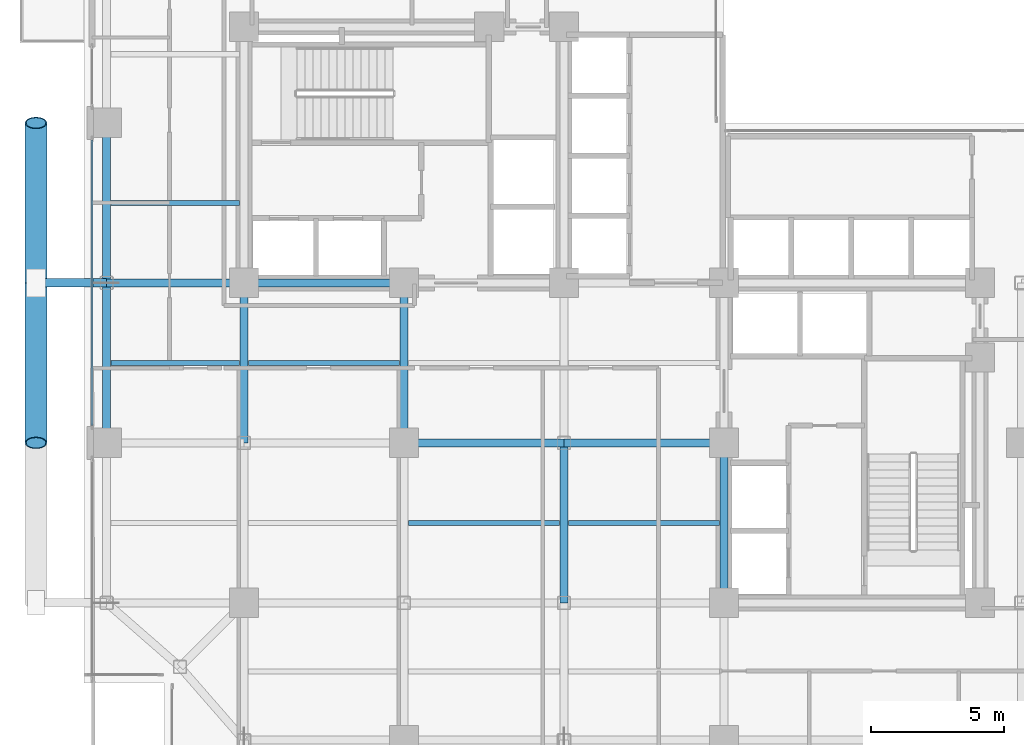
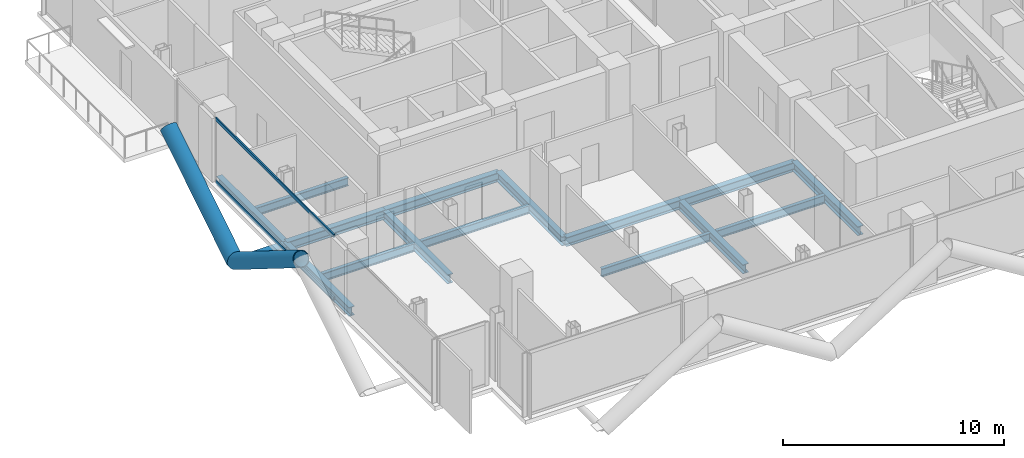
# One storey, part 6 of 28: 15 beams, 5 members, 1 element without a shape of its own.
"""IFC4 building model written with IfcOpenShell, lengths in metres."""

from ifc_helpers import new_model, si_unit, direction, frame, origin, origin_2d, place, context, subcontext, project, spatial, hollow_rectangle, hollow_circle, i_section, extrude, material, layer, layer_set, material_profile, profile_set, type_object, element, aggregate, save


model = new_model("IFC4")

# Units and contexts
model_context = context("Model", 3, precision=1e-05, world=origin(), true_north=direction((0.0, 1.0)))
body_context = subcontext(model_context, "Body", "Model", "MODEL_VIEW")
ifc_project = project(units=[si_unit("LENGTHUNIT", "METRE"), si_unit("AREAUNIT", "SQUARE_METRE"), si_unit("VOLUMEUNIT", "CUBIC_METRE"), si_unit("PLANEANGLEUNIT", "RADIAN"), si_unit("MASSUNIT", "GRAM", prefix="KILO"), si_unit("THERMODYNAMICTEMPERATUREUNIT", "KELVIN"), si_unit("POWERUNIT", "WATT")], contexts=[model_context])

# Site, building, storey
site_placement = place(None, origin())
site = spatial("IfcSite", under=ifc_project, at=site_placement, CompositionType="ELEMENT")
building_placement = place(site_placement, origin())
building = spatial("IfcBuilding", under=site, at=building_placement, Name="Svarakhadi Broadcast Tower", CompositionType="ELEMENT")
storey_placement = place(building_placement, frame((0.0, 0.0, 103.35009765625)))
storey = spatial("IfcBuildingStorey", under=building, at=storey_placement, Name="L24", CompositionType="ELEMENT", Elevation=103.35009765625)

# Beams
ifc_material_1 = material(Name="Steel S355J2 (IS 2062 E350C)", Category="steel")
ifc_material_profile_1 = material_profile(ifc_material_1, i_section(OverallWidth=0.18994140625, OverallDepth=0.449951171875, WebThickness=0.009521484375, FlangeThickness=0.0146484375, FilletRadius=0.02099609375, at=origin_2d()), Name="NPB 450x190x78")
ifc_profile_set_1 = profile_set([ifc_material_profile_1], Name="Steel S355J2 (IS 2062 E350C)")
beam_type_1 = type_object("IfcBeamType", Name="Beam_NPB450", PredefinedType="BEAM", material=ifc_profile_set_1)
for number, where, z_axis, x_axis, name in (
    (1, (1.010009765625, 15.0, -0.4501953125), (1.0, 0.0, 0.0), (0.0, 1.0, 0.0), "L24 Secondary Composite Beam SB002"),
    (2, (1.010009765625, 21.0, -0.4501953125), (1.0, 0.0, 0.0), (0.0, 1.0, 0.0), "L24 Secondary Composite Beam SB003"),
):
    element("IfcBeam", number, at=place(storey_placement, frame(where, z_axis=z_axis, x_axis=x_axis)), inside=storey, type_object=beam_type_1, Name=name, PredefinedType="BEAM", context=body_context, shape_type="SweptSolid", body=[
        extrude(i_section(OverallWidth=0.18994140625, OverallDepth=0.449951171875, WebThickness=0.009521484375, FlangeThickness=0.0146484375, FilletRadius=0.02099609375, at=origin_2d()), origin(), (0.0, 0.0, 1.0), 4.830078125),
    ])
for number, where, z_axis, x_axis, name in (
    (3, (6.159912109375, 15.0, -0.4501953125), (1.0, 0.0, 0.0), (0.0, 1.0, 0.0), "L24 Secondary Composite Beam SB008"),
    (4, (12.159912109375, 9.0, -0.4501953125), (1.0, 0.0, 0.0), (0.0, 1.0, 0.0), "L24 Secondary Composite Beam SB012"),
    (5, (18.159912109375, 9.0, -0.4501953125), (1.0, 0.0, 0.0), (0.0, 1.0, 0.0), "L24 Secondary Composite Beam SB017"),
):
    element("IfcBeam", number, at=place(storey_placement, frame(where, z_axis=z_axis, x_axis=x_axis)), inside=storey, type_object=beam_type_1, Name=name, PredefinedType="BEAM", context=body_context, shape_type="SweptSolid", body=[
        extrude(i_section(OverallWidth=0.18994140625, OverallDepth=0.449951171875, WebThickness=0.009521484375, FlangeThickness=0.0146484375, FilletRadius=0.02099609375, at=origin_2d()), origin(), (0.0, 0.0, 1.0), 5.68017578125),
    ])

# Curtain wall, members
ifc_material_2 = material(Name="Anodised Bronze Aluminium AA 6063-T6", Category="aluminium")
ifc_layer = layer(ifc_material_2, 0.199951171875)
ifc_layer_set = layer_set([ifc_layer], Name="Anodised Bronze Aluminium AA 6063-T6")
curtain_wall_type = type_object("IfcCurtainWallType", Name="CW_Sys_03", PredefinedType="NOTDEFINED", material=ifc_layer_set)
curtain_wall_placement = place(storey_placement, origin())
curtain_wall = element("IfcCurtainWall", 6, at=curtain_wall_placement, inside=storey, type_object=curtain_wall_type, Name="L24 West Curtain Wall 02 Bay 2", PredefinedType="NOTDEFINED")
ifc_material_profile_2 = material_profile(ifc_material_2, hollow_rectangle(XDim=0.070068359375, YDim=0.18505859375, WallThickness=0.0048828125, at=origin_2d()), Name="ALU TRANSOM 185x70x5")
ifc_profile_set_2 = profile_set([ifc_material_profile_2], Name="Anodised Bronze Aluminium AA 6063-T6")
member_type_1 = type_object("IfcMemberType", Name="CW_Sys_03_Trn", PredefinedType="USERDEFINED", material=ifc_profile_set_2)
member_1_placement = place(storey_placement, frame((0.300048828125, 12.64501953125, 0.034912109375), z_axis=(0.0, 1.0, 0.0), x_axis=(-1.0, 0.0, 0.0)))
member_1 = element("IfcMember", 7, at=member_1_placement, type_object=member_type_1, Name="CW-03 transom 1.1", ObjectType="TRANSOM", PredefinedType="USERDEFINED", context=body_context, shape_type="SweptSolid", body=[
    extrude(hollow_rectangle(XDim=0.070068359375, YDim=0.18505859375, WallThickness=0.0048828125, at=origin_2d()), origin(), (0.0, 0.0, 1.0), 10.7099609375),
])
member_2_placement = place(storey_placement, frame((0.300048828125, 12.64501953125, 3.489990234375), z_axis=(0.0, 1.0, 0.0), x_axis=(-1.0, 0.0, 0.0)))
member_2 = element("IfcMember", 8, at=member_2_placement, type_object=member_type_1, Name="CW-03 transom 1.2", ObjectType="TRANSOM", PredefinedType="USERDEFINED", context=body_context, shape_type="SweptSolid", body=[
    extrude(hollow_rectangle(XDim=0.070068359375, YDim=0.18505859375, WallThickness=0.0048828125, at=origin_2d()), origin(), (0.0, 0.0, 1.0), 10.7099609375),
])
aggregate(curtain_wall, [member_1, member_2])

# Members
ifc_material_3 = material(Name="Steel S460ML (IS 2062 E450BR)", Category="steel")
ifc_material_profile_3 = material_profile(ifc_material_3, hollow_circle(Radius=0.406494140625, WallThickness=0.0400390625, at=origin_2d()), Name="CHS 813x40")
ifc_profile_set_3 = profile_set([ifc_material_profile_3], Name="Steel S460ML (IS 2062 E450BR)")
member_type_2 = type_object("IfcMemberType", Name="Exo_Brace_CHS813", PredefinedType="BRACE", material=ifc_profile_set_3)
for number, where, z_axis, x_axis, name in (
    (9, (-1.800048828125, 18.0, -0.386962890625), (0.0, -0.847998304005, 0.529998940003), (1.0, 0.0, 0.0), "L24 Exposed Bronze Exoskeleton Diagonal W06"),
    (10, (-1.800048828125, 18.0, -0.386962890625), (0.0, 0.847998304005, 0.529998940003), (-1.0, 0.0, 0.0), "L24 Exposed Bronze Exoskeleton Diagonal W07"),
):
    element("IfcMember", number, at=place(storey_placement, frame(where, z_axis=z_axis, x_axis=x_axis)), inside=storey, type_object=member_type_2, Name=name, PredefinedType="BRACE", context=body_context, shape_type="SweptSolid", body=[
        extrude(hollow_circle(Radius=0.406494140625, WallThickness=0.0400390625, at=origin_2d()), origin(), (0.0, 0.0, 1.0), 7.075439453125),
    ])
ifc_material_profile_4 = material_profile(ifc_material_3, hollow_circle(Radius=0.161865234375, WallThickness=0.01611328125, at=origin_2d()), Name="CHS 323.9x16")
ifc_profile_set_4 = profile_set([ifc_material_profile_4], Name="Steel S460ML (IS 2062 E450BR)")
member_type_3 = type_object("IfcMemberType", Name="Exo_Radial_Strut_Z2", PredefinedType="STRUT", material=ifc_profile_set_4)
member_3_placement = place(storey_placement, frame((-1.800048828125, 18.0, -0.386962890625), z_axis=(1.0, 0.0, 0.0), x_axis=(0.0, 1.0, 0.0)))
element("IfcMember", 11, at=member_3_placement, inside=storey, type_object=member_type_3, Name="L24 Exoskeleton Radial Tie Strut W06", PredefinedType="STRUT", context=body_context, shape_type="SweptSolid", body=[
    extrude(hollow_circle(Radius=0.161865234375, WallThickness=0.01611328125, at=origin_2d()), origin(), (0.0, 0.0, 1.0), 2.650146484375),
])

# Beams
ifc_material_profile_5 = material_profile(ifc_material_1, i_section(OverallWidth=0.300048828125, OverallDepth=0.5, WebThickness=0.014404296875, FlangeThickness=0.028076171875, FilletRadius=0.027099609375, at=origin_2d()), Name="WPB 500x300x187")
ifc_profile_set_5 = profile_set([ifc_material_profile_5], Name="Steel S355J2 (IS 2062 E350C)")
beam_type_2 = type_object("IfcBeamType", Name="Girder_WPB500", PredefinedType="USERDEFINED", material=ifc_profile_set_5)
for number, where, z_axis, x_axis, name in (
    (12, (12.0, 12.0, -0.47509765625), (1.0, 0.0, 0.0), (0.0, 1.0, 0.0), "L24 Primary E-W Girder G019"),
    (13, (18.0, 12.0, -0.47509765625), (1.0, 0.0, 0.0), (0.0, 1.0, 0.0), "L24 Primary E-W Girder G020"),
):
    element("IfcBeam", number, at=place(storey_placement, frame(where, z_axis=z_axis, x_axis=x_axis)), inside=storey, type_object=beam_type_2, Name=name, ObjectType="GIRDER", PredefinedType="USERDEFINED", context=body_context, shape_type="SweptSolid", body=[
        extrude(i_section(OverallWidth=0.300048828125, OverallDepth=0.5, WebThickness=0.014404296875, FlangeThickness=0.028076171875, FilletRadius=0.027099609375, at=origin_2d()), origin(), (0.0, 0.0, 1.0), 6.0),
    ])
beam_placement = place(storey_placement, frame((0.85009765625, 18.0, -0.47509765625), z_axis=(1.0, 0.0, 0.0), x_axis=(0.0, 1.0, 0.0)))
element("IfcBeam", 14, at=beam_placement, inside=storey, type_object=beam_type_2, Name="L24 Primary E-W Girder G023", ObjectType="GIRDER", PredefinedType="USERDEFINED", context=body_context, shape_type="SweptSolid", body=[
    extrude(i_section(OverallWidth=0.300048828125, OverallDepth=0.5, WebThickness=0.014404296875, FlangeThickness=0.028076171875, FilletRadius=0.027099609375, at=origin_2d()), origin(), (0.0, 0.0, 1.0), 5.14990234375),
])
for number, where, z_axis, x_axis, name in (
    (15, (6.0, 18.0, -0.47509765625), (1.0, 0.0, 0.0), (0.0, 1.0, 0.0), "L24 Primary E-W Girder G024"),
    (16, (0.85009765625, 12.0, -0.47509765625), (0.0, 1.0, 0.0), (-1.0, 0.0, 0.0), "L24 Primary N-S Girder G041"),
    (17, (0.85009765625, 18.0, -0.47509765625), (0.0, 1.0, 0.0), (-1.0, 0.0, 0.0), "L24 Primary N-S Girder G042"),
    (18, (6.0, 12.0, -0.47509765625), (0.0, 1.0, 0.0), (-1.0, 0.0, 0.0), "L24 Primary N-S Girder G047"),
    (19, (12.0, 12.0, -0.47509765625), (0.0, 1.0, 0.0), (-1.0, 0.0, 0.0), "L24 Primary N-S Girder G053"),
    (20, (18.0, 6.0, -0.47509765625), (0.0, 1.0, 0.0), (-1.0, 0.0, 0.0), "L24 Primary N-S Girder G057"),
    (21, (24.0, 6.0, -0.47509765625), (0.0, 1.0, 0.0), (-1.0, 0.0, 0.0), "L24 Primary N-S Girder G063"),
):
    element("IfcBeam", number, at=place(storey_placement, frame(where, z_axis=z_axis, x_axis=x_axis)), inside=storey, type_object=beam_type_2, Name=name, ObjectType="GIRDER", PredefinedType="USERDEFINED", context=body_context, shape_type="SweptSolid", body=[
        extrude(i_section(OverallWidth=0.300048828125, OverallDepth=0.5, WebThickness=0.014404296875, FlangeThickness=0.028076171875, FilletRadius=0.027099609375, at=origin_2d()), origin(), (0.0, 0.0, 1.0), 6.0),
    ])

save(model, "model.ifc")
